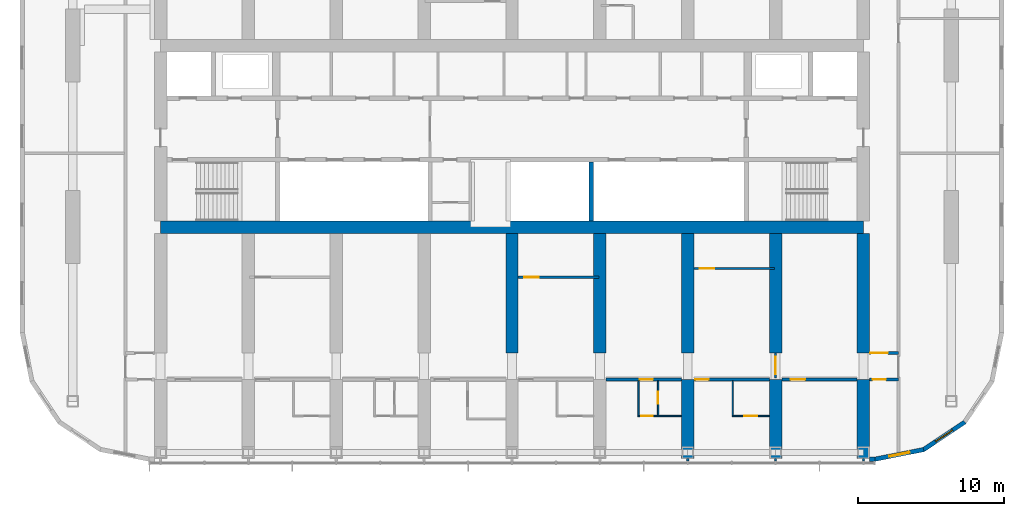
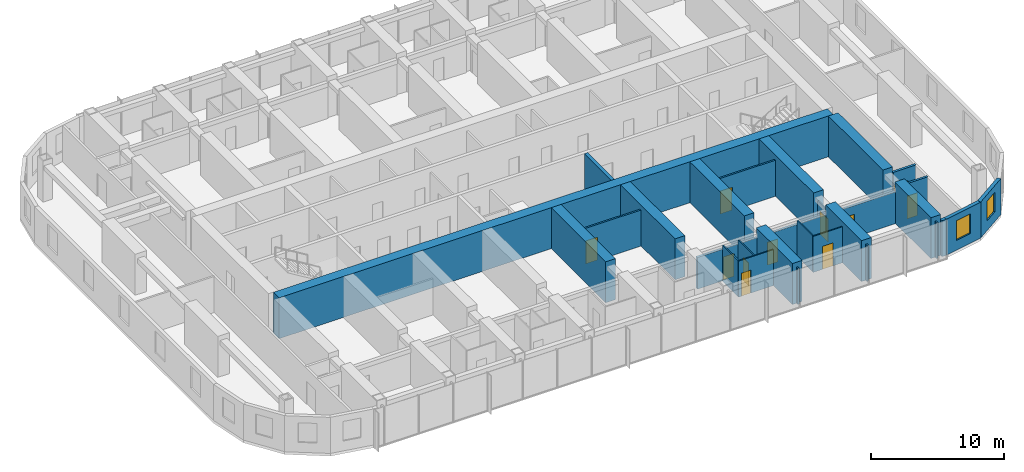
# One storey, part 12 of 22: 29 walls, 11 doors, 2 windows, 13 openings.
"""IFC4 building model written with IfcOpenShell, lengths in metres."""

from ifc_helpers import new_model, si_unit, direction, frame, frame_2d, origin, place, context, subcontext, project, spatial, polyline, rectangle, outline, extrude, material, layer, layer_set, type_object, element, fill, save


model = new_model("IFC4")

# Units and contexts
model_context = context("Model", 3, precision=1e-05, world=origin(), true_north=direction((0.0, 1.0)))
body_context = subcontext(model_context, "Body", "Model", "MODEL_VIEW")
ifc_project = project(units=[si_unit("LENGTHUNIT", "METRE"), si_unit("AREAUNIT", "SQUARE_METRE"), si_unit("VOLUMEUNIT", "CUBIC_METRE"), si_unit("PLANEANGLEUNIT", "RADIAN"), si_unit("MASSUNIT", "GRAM", prefix="KILO")], contexts=[model_context])

# Site, building, storey
site_placement = place(None, origin())
site = spatial("IfcSite", under=ifc_project, at=site_placement, CompositionType="ELEMENT")
building_placement = place(site_placement, origin())
building = spatial("IfcBuilding", under=site, at=building_placement, Name="Orbita Commons", CompositionType="ELEMENT")
storey_placement = place(building_placement, frame((0.0, 0.0, 144.85009765625)))
storey = spatial("IfcBuildingStorey", under=building, at=storey_placement, Name="L35", CompositionType="ELEMENT", Elevation=144.85009765625)

# Walls
ifc_material_1 = material(Name="Concrete C50/60", Category="concrete")
ifc_layer_1 = layer(ifc_material_1, 0.300048828125)
ifc_layer_set_1 = layer_set([ifc_layer_1], Name="Concrete C50/60")
wall_type_1 = type_object("IfcWallType", Name="Core inner wall 300 C50/60", PredefinedType="SHEAR", material=ifc_layer_set_1)
wall_1_placement = place(storey_placement, frame((47.39990234375, 26.22509765625, 0.0), z_axis=(0.0, 0.0, 1.0), x_axis=(0.0, 1.0, 0.0)))
element("IfcWall", 1, at=wall_1_placement, inside=storey, type_object=wall_type_1, Name="Hoistway division wall L35", PredefinedType="SHEAR", context=body_context, shape_type="SweptSolid", body=[
    extrude(rectangle(XDim=4.02490234375, YDim=0.300048828125, at=frame_2d((2.012451171875, 0.0))), origin(), (0.0, 0.0, 1.0), 3.75),
])
ifc_material_2 = material(Name="Concrete C50/60", Category="concrete")
ifc_layer_2 = layer(ifc_material_2, 0.85009765625)
ifc_layer_set_2 = layer_set([ifc_layer_2], Name="Concrete C50/60")
wall_type_2 = type_object("IfcWallType", Name="Core wall 850 C50/60", PredefinedType="SHEAR", material=ifc_layer_set_2)
wall_2_placement = place(storey_placement, frame((18.0, 25.800048828125, 0.0), z_axis=(0.0, 0.0, 1.0), x_axis=(1.0, 0.0, 0.0)))
element("IfcWall", 2, at=wall_2_placement, inside=storey, type_object=wall_type_2, Name="Core spine wall south L35", PredefinedType="SHEAR", context=body_context, shape_type="SweptSolid", body=[
    extrude(rectangle(XDim=48.0, YDim=0.85009765625, at=frame_2d((24.0, 0.0))), origin(), (0.0, 0.0, 1.0), 3.75),
])

# Wall, opening, door
ifc_material_3 = material(Name="Concrete blockwork", Category="masonry")
ifc_layer_3 = layer(ifc_material_3, 0.199951171875)
ifc_layer_set_3 = layer_set([ifc_layer_3], Name="Concrete blockwork")
wall_type_3 = type_object("IfcWallType", Name="Corridor wall 200 blockwork", PredefinedType="SOLIDWALL", material=ifc_layer_set_3)
wall_3_placement = place(storey_placement, frame((48.425048828125, 15.39990234375, 0.0), z_axis=(0.0, 0.0, 1.0), x_axis=(1.0, 0.0, 0.0)))
wall_3 = element("IfcWall", 3, at=wall_3_placement, inside=storey, type_object=wall_type_3, Name="Corridor wall 200 blockwork L35", PredefinedType="SOLIDWALL", context=body_context, shape_type="SweptSolid", body=[
    extrude(outline(polyline([(0.0, 0.0), (5.14990234375, 0.0), (5.14990234375, 2.89990234375), (0.0, 2.89990234375), (0.0, 0.0)])), frame((0.0, 0.10009765625, 0.0), z_axis=(0.0, -1.0, 0.0), x_axis=(1.0, 0.0, 0.0)), (0.0, 0.0, 1.0), 0.199951171875),
])
opening_1_placement = place(wall_3_placement, frame((2.300048828125, 0.0, 0.0)))
opening_1 = element("IfcOpeningElement", 4, at=opening_1_placement, cuts=wall_3, Name="Opening D11", PredefinedType="OPENING", context=body_context, shape_type="SweptSolid", body=[
    extrude(rectangle(XDim=0.89990234375, YDim=2.10009765625, at=frame_2d((0.449951171875, 1.050048828125))), frame((0.0, 0.10986328125, 0.0), z_axis=(0.0, -1.0, 0.0), x_axis=(1.0, 0.0, 0.0)), (0.0, 0.0, 1.0), 0.219970703125),
])
ifc_material_4 = material(Name="Steel-faced fire door leaf", Category="steel")
door_type_1 = type_object("IfcDoorType", Name="Corridor door 20 min 900x2100", OperationType="SINGLE_SWING_LEFT", PredefinedType="DOOR", material=ifc_material_4)
door_1_placement = place(opening_1_placement, origin())
door_1 = element("IfcDoor", 5, at=door_1_placement, inside=storey, type_object=door_type_1, Name="Studio flat L35-S10 entrance door", OperationType="SINGLE_SWING_LEFT", OverallHeight=2.10009765625, OverallWidth=0.89990234375, PredefinedType="DOOR", context=body_context, shape_type="SweptSolid", body=[
    extrude(rectangle(XDim=0.89990234375, YDim=2.10009765625, at=frame_2d((0.449951171875, 1.050048828125))), frame((0.0, 0.02490234375, 0.0), z_axis=(0.0, -1.0, 0.0), x_axis=(1.0, 0.0, 0.0)), (0.0, 0.0, 1.0), 0.050048828125),
])
fill(opening_1, door_1)

wall_4_placement = place(storey_placement, frame((54.425048828125, 15.39990234375, 0.0), z_axis=(0.0, 0.0, 1.0), x_axis=(1.0, 0.0, 0.0)))
wall_4 = element("IfcWall", 6, at=wall_4_placement, inside=storey, type_object=wall_type_3, Name="Corridor wall 200 blockwork L35", PredefinedType="SOLIDWALL", context=body_context, shape_type="SweptSolid", body=[
    extrude(outline(polyline([(0.0, 0.0), (5.14990234375, 0.0), (5.14990234375, 2.89990234375), (0.0, 2.89990234375), (0.0, 0.0)])), frame((0.0, 0.10009765625, 0.0), z_axis=(0.0, -1.0, 0.0), x_axis=(1.0, 0.0, 0.0)), (0.0, 0.0, 1.0), 0.199951171875),
])
opening_2_placement = place(wall_4_placement, frame((0.10009765625, 0.0, 0.0)))
opening_2 = element("IfcOpeningElement", 7, at=opening_2_placement, cuts=wall_4, Name="Opening D11", PredefinedType="OPENING", context=body_context, shape_type="SweptSolid", body=[
    extrude(rectangle(XDim=0.89990234375, YDim=2.10009765625, at=frame_2d((0.449951171875, 1.050048828125))), frame((0.0, 0.10986328125, 0.0), z_axis=(0.0, -1.0, 0.0), x_axis=(1.0, 0.0, 0.0)), (0.0, 0.0, 1.0), 0.219970703125),
])
door_2_placement = place(opening_2_placement, origin())
door_2 = element("IfcDoor", 8, at=door_2_placement, inside=storey, type_object=door_type_1, Name="Twin room L35-S12 door", OperationType="SINGLE_SWING_LEFT", OverallHeight=2.10009765625, OverallWidth=0.89990234375, PredefinedType="DOOR", context=body_context, shape_type="SweptSolid", body=[
    extrude(rectangle(XDim=0.89990234375, YDim=2.10009765625, at=frame_2d((0.449951171875, 1.050048828125))), frame((0.0, 0.02490234375, 0.0), z_axis=(0.0, -1.0, 0.0), x_axis=(1.0, 0.0, 0.0)), (0.0, 0.0, 1.0), 0.050048828125),
])
fill(opening_2, door_2)

wall_5_placement = place(storey_placement, frame((60.425048828125, 15.39990234375, 0.0), z_axis=(0.0, 0.0, 1.0), x_axis=(1.0, 0.0, 0.0)))
wall_5 = element("IfcWall", 9, at=wall_5_placement, inside=storey, type_object=wall_type_3, Name="Corridor wall 200 blockwork L35", PredefinedType="SOLIDWALL", context=body_context, shape_type="SweptSolid", body=[
    extrude(outline(polyline([(0.0, 0.0), (5.14990234375, 0.0), (5.14990234375, 2.89990234375), (0.0, 2.89990234375), (0.0, 0.0)])), frame((0.0, 0.10009765625, 0.0), z_axis=(0.0, -1.0, 0.0), x_axis=(1.0, 0.0, 0.0)), (0.0, 0.0, 1.0), 0.199951171875),
])
opening_3_placement = place(wall_5_placement, frame((0.60009765625, 0.0, 0.0)))
opening_3 = element("IfcOpeningElement", 10, at=opening_3_placement, cuts=wall_5, Name="Opening D06", PredefinedType="OPENING", context=body_context, shape_type="SweptSolid", body=[
    extrude(rectangle(XDim=1.0, YDim=2.10009765625, at=frame_2d((0.5, 1.050048828125))), frame((0.0, 0.10986328125, 0.0), z_axis=(0.0, -1.0, 0.0), x_axis=(1.0, 0.0, 0.0)), (0.0, 0.0, 1.0), 0.219970703125),
])
ifc_material_5 = material(Name="Steel-faced fire door leaf", Category="steel")
door_type_2 = type_object("IfcDoorType", Name="Corridor door 20 min 1000x2100", OperationType="SINGLE_SWING_LEFT", PredefinedType="DOOR", material=ifc_material_5)
door_3_placement = place(opening_3_placement, origin())
door_3 = element("IfcDoor", 11, at=door_3_placement, inside=storey, type_object=door_type_2, Name="Cluster kitchen-diner L35-S14 door", OperationType="SINGLE_SWING_LEFT", OverallHeight=2.10009765625, OverallWidth=1.0, PredefinedType="DOOR", context=body_context, shape_type="SweptSolid", body=[
    extrude(rectangle(XDim=1.0, YDim=2.10009765625, at=frame_2d((0.5, 1.050048828125))), frame((0.0, 0.02490234375, 0.0), z_axis=(0.0, -1.0, 0.0), x_axis=(1.0, 0.0, 0.0)), (0.0, 0.0, 1.0), 0.050048828125),
])
fill(opening_3, door_3)

wall_6_placement = place(storey_placement, frame((66.425048828125, 15.39990234375, 0.0), z_axis=(0.0, 0.0, 1.0), x_axis=(1.0, 0.0, 0.0)))
wall_6 = element("IfcWall", 12, at=wall_6_placement, inside=storey, type_object=wall_type_3, Name="Corridor wall 200 blockwork L35", PredefinedType="SOLIDWALL", context=body_context, shape_type="SweptSolid", body=[
    extrude(rectangle(XDim=1.974853515625, YDim=0.199951171875, at=frame_2d((0.9873046875, 0.0))), origin(), (0.0, 0.0, 1.0), 3.2998046875),
])
opening_4_placement = place(wall_6_placement, frame((0.199951171875, 0.0, 0.0)))
opening_4 = element("IfcOpeningElement", 13, at=opening_4_placement, cuts=wall_6, Name="Opening D05", PredefinedType="OPENING", context=body_context, shape_type="SweptSolid", body=[
    extrude(rectangle(XDim=0.89990234375, YDim=2.10009765625, at=frame_2d((0.449951171875, 1.050048828125))), frame((0.0, 0.10986328125, 0.0), z_axis=(0.0, -1.0, 0.0), x_axis=(1.0, 0.0, 0.0)), (0.0, 0.0, 1.0), 0.219970703125),
])
ifc_material_6 = material(Name="Steel-faced fire door leaf", Category="steel")
door_type_3 = type_object("IfcDoorType", Name="Service door 20 min 900x2100", OperationType="SINGLE_SWING_LEFT", PredefinedType="DOOR", material=ifc_material_6)
door_4_placement = place(opening_4_placement, origin())
door_4 = element("IfcDoor", 14, at=door_4_placement, inside=storey, type_object=door_type_3, Name="Linen store L35-KES door", OperationType="SINGLE_SWING_LEFT", OverallHeight=2.10009765625, OverallWidth=0.89990234375, PredefinedType="DOOR", context=body_context, shape_type="SweptSolid", body=[
    extrude(rectangle(XDim=0.89990234375, YDim=2.10009765625, at=frame_2d((0.449951171875, 1.050048828125))), frame((0.0, 0.02490234375, 0.0), z_axis=(0.0, -1.0, 0.0), x_axis=(1.0, 0.0, 0.0)), (0.0, 0.0, 1.0), 0.050048828125),
])
fill(opening_4, door_4)

ifc_material_7 = material(Name="Hollow concrete block 200", Category="concrete")
ifc_layer_4 = layer(ifc_material_7, 0.199951171875)
ifc_layer_set_4 = layer_set([ifc_layer_4], Name="Hollow concrete block 200")
wall_type_4 = type_object("IfcWallType", Name="Corridor wall 200 hollow concrete block", PredefinedType="SOLIDWALL", material=ifc_layer_set_4)
wall_7_placement = place(storey_placement, frame((66.425048828125, 17.199951171875, 0.0), z_axis=(0.0, 0.0, 1.0), x_axis=(1.0, 0.0, 0.0)))
wall_7 = element("IfcWall", 15, at=wall_7_placement, inside=storey, type_object=wall_type_4, Name="Corridor wall 200 hollow concrete block L35", PredefinedType="SOLIDWALL", context=body_context, shape_type="SweptSolid", body=[
    extrude(rectangle(XDim=1.974853515625, YDim=0.199951171875, at=frame_2d((0.9873046875, 0.0))), origin(), (0.0, 0.0, 1.0), 3.2998046875),
])
opening_5_placement = place(wall_7_placement, frame((0.050048828125, 0.0, 0.0)))
opening_5 = element("IfcOpeningElement", 16, at=opening_5_placement, cuts=wall_7, Name="Opening D12", PredefinedType="OPENING", context=body_context, shape_type="SweptSolid", body=[
    extrude(rectangle(XDim=1.199951171875, YDim=2.10009765625, at=frame_2d((0.60009765625, 1.050048828125))), frame((0.0, 0.10986328125, 0.0), z_axis=(0.0, -1.0, 0.0), x_axis=(1.0, 0.0, 0.0)), (0.0, 0.0, 1.0), 0.219970703125),
])
ifc_material_8 = material(Name="Steel-faced fire door leaf", Category="steel")
door_type_4 = type_object("IfcDoorType", Name="Double corridor door 20 min 1200x2100", OperationType="DOUBLE_DOOR_SINGLE_SWING", PredefinedType="DOOR", material=ifc_material_8)
door_5_placement = place(opening_5_placement, origin())
door_5 = element("IfcDoor", 17, at=door_5_placement, inside=storey, type_object=door_type_4, Name="Cross corridor doors", OperationType="DOUBLE_DOOR_SINGLE_SWING", OverallHeight=2.10009765625, OverallWidth=1.199951171875, PredefinedType="DOOR", context=body_context, shape_type="SweptSolid", body=[
    extrude(rectangle(XDim=1.199951171875, YDim=2.10009765625, at=frame_2d((0.60009765625, 1.050048828125))), frame((0.0, 0.02490234375, 0.0), z_axis=(0.0, -1.0, 0.0), x_axis=(1.0, 0.0, 0.0)), (0.0, 0.0, 1.0), 0.050048828125),
])
fill(opening_5, door_5)

# Walls
ifc_material_9 = material(Name="Concrete C50/60", Category="concrete")
ifc_layer_5 = layer(ifc_material_9, 0.85009765625)
ifc_layer_set_5 = layer_set([ifc_layer_5], Name="Concrete C50/60")
wall_type_5 = type_object("IfcWallType", Name="Cross wall 850 C50/60", PredefinedType="SHEAR", material=ifc_layer_set_5)
for number, where, z_axis, x_axis, name in (
    (18, (42.0, 17.199951171875, 0.0), (0.0, 0.0, 1.0), (0.0, 1.0, 0.0), "Cross wall 8 south inner L35"),
    (19, (48.0, 17.199951171875, 0.0), (0.0, 0.0, 1.0), (0.0, 1.0, 0.0), "Cross wall 9 south inner L35"),
):
    element("IfcWall", number, at=place(storey_placement, frame(where, z_axis=z_axis, x_axis=x_axis)), inside=storey, type_object=wall_type_5, Name=name, PredefinedType="SHEAR", context=body_context, shape_type="SweptSolid", body=[
        extrude(rectangle(XDim=8.175048828125, YDim=0.85009765625, at=frame_2d((4.08740234375, 0.0))), origin(), (0.0, 0.0, 1.0), 3.75),
    ])
wall_8_placement = place(storey_placement, frame((54.0, 10.0, 0.0), z_axis=(0.0, 0.0, 1.0), x_axis=(0.0, 1.0, 0.0)))
element("IfcWall", 20, at=wall_8_placement, inside=storey, type_object=wall_type_5, Name="Cross wall 10 south outer L35", PredefinedType="SHEAR", context=body_context, shape_type="SweptSolid", body=[
    extrude(rectangle(XDim=5.39990234375, YDim=0.85009765625, at=frame_2d((2.699951171875, 0.0))), origin(), (0.0, 0.0, 1.0), 3.75),
])
wall_9_placement = place(storey_placement, frame((54.0, 17.199951171875, 0.0), z_axis=(0.0, 0.0, 1.0), x_axis=(0.0, 1.0, 0.0)))
element("IfcWall", 21, at=wall_9_placement, inside=storey, type_object=wall_type_5, Name="Cross wall 10 south inner L35", PredefinedType="SHEAR", context=body_context, shape_type="SweptSolid", body=[
    extrude(rectangle(XDim=8.175048828125, YDim=0.85009765625, at=frame_2d((4.08740234375, 0.0))), origin(), (0.0, 0.0, 1.0), 3.75),
])
wall_10_placement = place(storey_placement, frame((60.0, 10.0, 0.0), z_axis=(0.0, 0.0, 1.0), x_axis=(0.0, 1.0, 0.0)))
element("IfcWall", 22, at=wall_10_placement, inside=storey, type_object=wall_type_5, Name="Cross wall 11 south outer L35", PredefinedType="SHEAR", context=body_context, shape_type="SweptSolid", body=[
    extrude(rectangle(XDim=5.39990234375, YDim=0.85009765625, at=frame_2d((2.699951171875, 0.0))), origin(), (0.0, 0.0, 1.0), 3.75),
])
wall_11_placement = place(storey_placement, frame((60.0, 17.199951171875, 0.0), z_axis=(0.0, 0.0, 1.0), x_axis=(0.0, 1.0, 0.0)))
element("IfcWall", 23, at=wall_11_placement, inside=storey, type_object=wall_type_5, Name="Cross wall 11 south inner L35", PredefinedType="SHEAR", context=body_context, shape_type="SweptSolid", body=[
    extrude(rectangle(XDim=8.175048828125, YDim=0.85009765625, at=frame_2d((4.08740234375, 0.0))), origin(), (0.0, 0.0, 1.0), 3.75),
])
wall_12_placement = place(storey_placement, frame((66.0, 10.0, 0.0), z_axis=(0.0, 0.0, 1.0), x_axis=(0.0, 1.0, 0.0)))
element("IfcWall", 24, at=wall_12_placement, inside=storey, type_object=wall_type_5, Name="Cross wall 12 south outer L35", PredefinedType="SHEAR", context=body_context, shape_type="SweptSolid", body=[
    extrude(rectangle(XDim=5.39990234375, YDim=0.85009765625, at=frame_2d((2.699951171875, 0.0))), origin(), (0.0, 0.0, 1.0), 3.75),
])
wall_13_placement = place(storey_placement, frame((66.0, 17.199951171875, 0.0), z_axis=(0.0, 0.0, 1.0), x_axis=(0.0, 1.0, 0.0)))
element("IfcWall", 25, at=wall_13_placement, inside=storey, type_object=wall_type_5, Name="Cross wall 12 south inner L35", PredefinedType="SHEAR", context=body_context, shape_type="SweptSolid", body=[
    extrude(rectangle(XDim=8.175048828125, YDim=0.85009765625, at=frame_2d((4.08740234375, 0.0))), origin(), (0.0, 0.0, 1.0), 3.75),
])

# Wall, opening, door
ifc_material_10 = material(Name="Moisture-resistant plasterboard on steel studs", Category="steel")
ifc_layer_6 = layer(ifc_material_10, 0.10009765625)
ifc_layer_set_6 = layer_set([ifc_layer_6], Name="Moisture-resistant plasterboard on steel studs")
wall_type_6 = type_object("IfcWallType", Name="En-suite partition 100", PredefinedType="PARTITIONING", material=ifc_layer_set_6)
wall_14_placement = place(storey_placement, frame((53.574951171875, 12.89990234375, 0.0), z_axis=(0.0, 0.0, 1.0), x_axis=(-1.0, 0.0, 0.0)))
wall_14 = element("IfcWall", 26, at=wall_14_placement, inside=storey, type_object=wall_type_6, Name="En-suite partition 100 L35", PredefinedType="PARTITIONING", context=body_context, shape_type="SweptSolid", body=[
    extrude(rectangle(XDim=3.0, YDim=0.10009765625, at=frame_2d((1.5, 0.0))), origin(), (0.0, 0.0, 1.0), 3.2998046875),
])
opening_6_placement = place(wall_14_placement, frame((1.949951171875, 0.0, 0.0)))
opening_6 = element("IfcOpeningElement", 27, at=opening_6_placement, cuts=wall_14, Name="Opening D16", PredefinedType="OPENING", context=body_context, shape_type="SweptSolid", body=[
    extrude(rectangle(XDim=0.800048828125, YDim=2.10009765625, at=frame_2d((0.39990234375, 1.050048828125))), frame((0.0, 0.06005859375, 0.0), z_axis=(0.0, -1.0, 0.0), x_axis=(1.0, 0.0, 0.0)), (0.0, 0.0, 1.0), 0.1201171875),
])
ifc_material_11 = material(Name="Laminated timber door leaf", Category="wood")
door_type_5 = type_object("IfcDoorType", Name="En-suite door 800x2100", OperationType="SINGLE_SWING_RIGHT", PredefinedType="DOOR", material=ifc_material_11)
door_6_placement = place(opening_6_placement, origin())
door_6 = element("IfcDoor", 28, at=door_6_placement, inside=storey, type_object=door_type_5, Name="Studio flat L35-S10 door", OperationType="SINGLE_SWING_RIGHT", OverallHeight=2.10009765625, OverallWidth=0.800048828125, PredefinedType="DOOR", context=body_context, shape_type="SweptSolid", body=[
    extrude(rectangle(XDim=0.800048828125, YDim=2.10009765625, at=frame_2d((0.39990234375, 1.050048828125))), frame((0.0, 0.02490234375, 0.0), z_axis=(0.0, -1.0, 0.0), x_axis=(1.0, 0.0, 0.0)), (0.0, 0.0, 1.0), 0.050048828125),
])
fill(opening_6, door_6)

# Wall
wall_15_placement = place(storey_placement, frame((50.625, 12.949951171875, 0.0), z_axis=(0.0, 0.0, 1.0), x_axis=(0.0, 1.0, 0.0)))
element("IfcWall", 29, at=wall_15_placement, inside=storey, type_object=wall_type_6, Name="En-suite partition 100 L35", PredefinedType="PARTITIONING", context=body_context, shape_type="SweptSolid", body=[
    extrude(outline(polyline([(0.0, 0.0), (2.35009765625, 0.0), (2.35009765625, 2.89990234375), (2.302001953125, 2.89990234375), (2.300048828125, 3.2998046875), (0.0, 3.2998046875), (0.0, 0.0)])), frame((0.0, 0.050048828125, 0.0), z_axis=(0.0, -1.0, 0.0), x_axis=(1.0, 0.0, 0.0)), (0.0, 0.0, 1.0), 0.10009765625),
])

# Wall, opening, door
wall_16_placement = place(storey_placement, frame((51.97509765625, 12.949951171875, 0.0), z_axis=(0.0, 0.0, 1.0), x_axis=(0.0, 1.0, 0.0)))
wall_16 = element("IfcWall", 30, at=wall_16_placement, inside=storey, type_object=wall_type_6, Name="En-suite partition 100 L35", PredefinedType="PARTITIONING", context=body_context, shape_type="SweptSolid", body=[
    extrude(outline(polyline([(0.0, 0.0), (2.35009765625, 0.0), (2.35009765625, 2.89990234375), (2.302001953125, 2.89990234375), (2.300048828125, 3.2998046875), (0.0, 3.2998046875), (0.0, 0.0)])), frame((0.0, 0.050048828125, 0.0), z_axis=(0.0, -1.0, 0.0), x_axis=(1.0, 0.0, 0.0)), (0.0, 0.0, 1.0), 0.10009765625),
])
opening_7_placement = place(wall_16_placement, frame((0.800048828125, 0.0, 0.0)))
opening_7 = element("IfcOpeningElement", 31, at=opening_7_placement, cuts=wall_16, Name="Opening D16", PredefinedType="OPENING", context=body_context, shape_type="SweptSolid", body=[
    extrude(rectangle(XDim=0.800048828125, YDim=2.10009765625, at=frame_2d((0.39990234375, 1.050048828125))), frame((0.0, 0.06005859375, 0.0), z_axis=(0.0, -1.0, 0.0), x_axis=(1.0, 0.0, 0.0)), (0.0, 0.0, 1.0), 0.1201171875),
])
door_7_placement = place(opening_7_placement, origin())
door_7 = element("IfcDoor", 32, at=door_7_placement, inside=storey, type_object=door_type_5, Name="Studio flat shower room L35-S10 door", OperationType="SINGLE_SWING_RIGHT", OverallHeight=2.10009765625, OverallWidth=0.800048828125, PredefinedType="DOOR", context=body_context, shape_type="SweptSolid", body=[
    extrude(rectangle(XDim=0.800048828125, YDim=2.10009765625, at=frame_2d((0.39990234375, 1.050048828125))), frame((0.0, 0.02490234375, 0.0), z_axis=(0.0, -1.0, 0.0), x_axis=(1.0, 0.0, 0.0)), (0.0, 0.0, 1.0), 0.050048828125),
])
fill(opening_7, door_7)

wall_17_placement = place(storey_placement, frame((59.574951171875, 12.89990234375, 0.0), z_axis=(0.0, 0.0, 1.0), x_axis=(-1.0, 0.0, 0.0)))
wall_17 = element("IfcWall", 33, at=wall_17_placement, inside=storey, type_object=wall_type_6, Name="En-suite partition 100 L35", PredefinedType="PARTITIONING", context=body_context, shape_type="SweptSolid", body=[
    extrude(rectangle(XDim=2.550048828125, YDim=0.10009765625, at=frame_2d((1.27490234375, 0.0))), origin(), (0.0, 0.0, 1.0), 3.2998046875),
])
opening_8_placement = place(wall_17_placement, frame((0.824951171875, 0.0, 0.0)))
opening_8 = element("IfcOpeningElement", 34, at=opening_8_placement, cuts=wall_17, Name="Opening D09", PredefinedType="OPENING", context=body_context, shape_type="SweptSolid", body=[
    extrude(rectangle(XDim=0.89990234375, YDim=2.10009765625, at=frame_2d((0.449951171875, 1.050048828125))), frame((0.0, 0.06005859375, 0.0), z_axis=(0.0, -1.0, 0.0), x_axis=(1.0, 0.0, 0.0)), (0.0, 0.0, 1.0), 0.1201171875),
])
ifc_material_12 = material(Name="Laminated timber door leaf", Category="wood")
door_type_6 = type_object("IfcDoorType", Name="En-suite door 900x2100", OperationType="SINGLE_SWING_RIGHT", PredefinedType="DOOR", material=ifc_material_12)
door_8_placement = place(opening_8_placement, origin())
door_8 = element("IfcDoor", 35, at=door_8_placement, inside=storey, type_object=door_type_6, Name="En-suite L35-S12 door", OperationType="SINGLE_SWING_RIGHT", OverallHeight=2.10009765625, OverallWidth=0.89990234375, PredefinedType="DOOR", context=body_context, shape_type="SweptSolid", body=[
    extrude(rectangle(XDim=0.89990234375, YDim=2.10009765625, at=frame_2d((0.449951171875, 1.050048828125))), frame((0.0, 0.02490234375, 0.0), z_axis=(0.0, -1.0, 0.0), x_axis=(1.0, 0.0, 0.0)), (0.0, 0.0, 1.0), 0.050048828125),
])
fill(opening_8, door_8)

# Wall
wall_18_placement = place(storey_placement, frame((57.074951171875, 12.949951171875, 0.0), z_axis=(0.0, 0.0, 1.0), x_axis=(0.0, 1.0, 0.0)))
element("IfcWall", 36, at=wall_18_placement, inside=storey, type_object=wall_type_6, Name="En-suite partition 100 L35", PredefinedType="PARTITIONING", context=body_context, shape_type="SweptSolid", body=[
    extrude(outline(polyline([(0.0, 0.0), (2.35009765625, 0.0), (2.35009765625, 2.89990234375), (2.302001953125, 2.89990234375), (2.300048828125, 3.2998046875), (0.0, 3.2998046875), (0.0, 0.0)])), frame((0.0, 0.050048828125, 0.0), z_axis=(0.0, -1.0, 0.0), x_axis=(1.0, 0.0, 0.0)), (0.0, 0.0, 1.0), 0.10009765625),
])

# Wall, opening, door
ifc_material_13 = material(Name="Gypsum plasterboard on steel studs", Category="steel")
ifc_layer_7 = layer(ifc_material_13, 0.14990234375)
ifc_layer_set_7 = layer_set([ifc_layer_7], Name="Gypsum plasterboard on steel studs")
wall_type_7 = type_object("IfcWallType", Name="Partition 150 plasterboard", PredefinedType="PARTITIONING", material=ifc_layer_set_7)
wall_19_placement = place(storey_placement, frame((42.425048828125, 22.375, 0.0), z_axis=(0.0, 0.0, 1.0), x_axis=(1.0, 0.0, 0.0)))
wall_19 = element("IfcWall", 37, at=wall_19_placement, inside=storey, type_object=wall_type_7, Name="Partition 150 plasterboard L35", PredefinedType="PARTITIONING", context=body_context, shape_type="SweptSolid", body=[
    extrude(rectangle(XDim=5.5, YDim=0.14990234375, at=frame_2d((2.75, 0.0))), origin(), (0.0, 0.0, 1.0), 3.2998046875),
])
opening_9_placement = place(wall_19_placement, frame((0.39990234375, 0.0, 0.0)))
opening_9 = element("IfcOpeningElement", 38, at=opening_9_placement, cuts=wall_19, Name="Opening D18", PredefinedType="OPENING", context=body_context, shape_type="SweptSolid", body=[
    extrude(rectangle(XDim=1.0, YDim=2.10009765625, at=frame_2d((0.5, 1.050048828125))), frame((0.0, 0.0849609375, 0.0), z_axis=(0.0, -1.0, 0.0), x_axis=(1.0, 0.0, 0.0)), (0.0, 0.0, 1.0), 0.169921875),
])
ifc_material_14 = material(Name="Steel-faced fire door leaf", Category="steel")
door_type_7 = type_object("IfcDoorType", Name="Service door 20 min 1000x2100", OperationType="SINGLE_SWING_LEFT", PredefinedType="DOOR", material=ifc_material_14)
door_9_placement = place(opening_9_placement, origin())
door_9 = element("IfcDoor", 39, at=door_9_placement, inside=storey, type_object=door_type_7, Name="Refuse and recycling room L35-BDS42 door", OperationType="SINGLE_SWING_LEFT", OverallHeight=2.10009765625, OverallWidth=1.0, PredefinedType="DOOR", context=body_context, shape_type="SweptSolid", body=[
    extrude(rectangle(XDim=1.0, YDim=2.10009765625, at=frame_2d((0.5, 1.050048828125))), frame((0.0, 0.02490234375, 0.0), z_axis=(0.0, -1.0, 0.0), x_axis=(1.0, 0.0, 0.0)), (0.0, 0.0, 1.0), 0.050048828125),
])
fill(opening_9, door_9)

wall_20_placement = place(storey_placement, frame((54.425048828125, 22.97509765625, 0.0), z_axis=(0.0, 0.0, 1.0), x_axis=(1.0, 0.0, 0.0)))
wall_20 = element("IfcWall", 40, at=wall_20_placement, inside=storey, type_object=wall_type_7, Name="Partition 150 plasterboard L35", PredefinedType="PARTITIONING", context=body_context, shape_type="SweptSolid", body=[
    extrude(rectangle(XDim=5.5, YDim=0.14990234375, at=frame_2d((2.75, 0.0))), origin(), (0.0, 0.0, 1.0), 3.2998046875),
])
opening_10_placement = place(wall_20_placement, frame((0.39990234375, 0.0, 0.0)))
opening_10 = element("IfcOpeningElement", 41, at=opening_10_placement, cuts=wall_20, Name="Opening D18", PredefinedType="OPENING", context=body_context, shape_type="SweptSolid", body=[
    extrude(rectangle(XDim=1.0, YDim=2.10009765625, at=frame_2d((0.5, 1.050048828125))), frame((0.0, 0.0849609375, 0.0), z_axis=(0.0, -1.0, 0.0), x_axis=(1.0, 0.0, 0.0)), (0.0, 0.0, 1.0), 0.169921875),
])
door_10_placement = place(opening_10_placement, origin())
door_10 = element("IfcDoor", 42, at=door_10_placement, inside=storey, type_object=door_type_7, Name="Cleaners store L35-BDS54 door", OperationType="SINGLE_SWING_LEFT", OverallHeight=2.10009765625, OverallWidth=1.0, PredefinedType="DOOR", context=body_context, shape_type="SweptSolid", body=[
    extrude(rectangle(XDim=1.0, YDim=2.10009765625, at=frame_2d((0.5, 1.050048828125))), frame((0.0, 0.02490234375, 0.0), z_axis=(0.0, -1.0, 0.0), x_axis=(1.0, 0.0, 0.0)), (0.0, 0.0, 1.0), 0.050048828125),
])
fill(opening_10, door_10)

wall_21_placement = place(storey_placement, frame((60.0, 15.5, 0.0), z_axis=(0.0, 0.0, 1.0), x_axis=(0.0, 1.0, 0.0)))
wall_21 = element("IfcWall", 43, at=wall_21_placement, inside=storey, type_object=wall_type_7, Name="Partition 150 plasterboard L35", PredefinedType="PARTITIONING", context=body_context, shape_type="SweptSolid", body=[
    extrude(outline(polyline([(0.0, 0.0), (1.699951171875, 0.0), (1.699951171875, 2.89990234375), (0.0, 2.89990234375), (0.0, 0.0)])), frame((0.0, 0.074951171875, 0.0), z_axis=(0.0, -1.0, 0.0), x_axis=(1.0, 0.0, 0.0)), (0.0, 0.0, 1.0), 0.14990234375),
])
opening_11_placement = place(wall_21_placement, frame((0.25, 0.0, 0.0)))
opening_11 = element("IfcOpeningElement", 44, at=opening_11_placement, cuts=wall_21, Name="Opening D12", PredefinedType="OPENING", context=body_context, shape_type="SweptSolid", body=[
    extrude(rectangle(XDim=1.199951171875, YDim=2.10009765625, at=frame_2d((0.60009765625, 1.050048828125))), frame((0.0, 0.0849609375, 0.0), z_axis=(0.0, -1.0, 0.0), x_axis=(1.0, 0.0, 0.0)), (0.0, 0.0, 1.0), 0.169921875),
])
door_11_placement = place(opening_11_placement, origin())
door_11 = element("IfcDoor", 45, at=door_11_placement, inside=storey, type_object=door_type_4, Name="Social spine south screen doors", OperationType="DOUBLE_DOOR_SINGLE_SWING", OverallHeight=2.10009765625, OverallWidth=1.199951171875, PredefinedType="DOOR", context=body_context, shape_type="SweptSolid", body=[
    extrude(rectangle(XDim=1.199951171875, YDim=2.10009765625, at=frame_2d((0.60009765625, 1.050048828125))), frame((0.0, 0.02490234375, 0.0), z_axis=(0.0, -1.0, 0.0), x_axis=(1.0, 0.0, 0.0)), (0.0, 0.0, 1.0), 0.050048828125),
])
fill(opening_11, door_11)

# Walls
for number, where, z_axis, x_axis, name in (
    (46, (54.0, 10.0, 0.0), (0.0, 0.0, 1.0), (0.0, -1.0, 0.0), "Partition 150 plasterboard L35"),
    (47, (60.0, 10.0, 0.0), (0.0, 0.0, 1.0), (0.0, -1.0, 0.0), "Partition 150 plasterboard L35"),
    (48, (66.0, 10.0, 0.0), (0.0, 0.0, 1.0), (0.0, -1.0, 0.0), "Partition 150 plasterboard L35"),
):
    element("IfcWall", number, at=place(storey_placement, frame(where, z_axis=z_axis, x_axis=x_axis)), inside=storey, type_object=wall_type_7, Name=name, PredefinedType="PARTITIONING", context=body_context, shape_type="SweptSolid", body=[
        extrude(rectangle(XDim=0.18994140625, YDim=0.14990234375, at=frame_2d((0.094970703125, 0.0))), origin(), (0.0, 0.0, 1.0), 3.2998046875),
    ])

# Wall, opening, window
ifc_material_15 = material(Name="Precast concrete C40/50, white board-marked finish", Category="concrete")
ifc_layer_8 = layer(ifc_material_15, 0.300048828125)
ifc_layer_set_8 = layer_set([ifc_layer_8], Name="Precast concrete C40/50, white board-marked finish")
wall_type_8 = type_object("IfcWallType", Name="Precast concrete end shield 300", PredefinedType="SOLIDWALL", material=ifc_layer_set_8)
wall_22_placement = place(storey_placement, frame((66.800048828125, 9.949951171875, 0.0), z_axis=(0.0, 0.0, 1.0), x_axis=(0.98078325777, 0.195100490205, 0.0)))
wall_22 = element("IfcWall", 49, at=wall_22_placement, inside=storey, type_object=wall_type_8, Name="End shield SE chord 1 L35", PredefinedType="SOLIDWALL", context=body_context, shape_type="SweptSolid", body=[
    extrude(outline(polyline([(-0.02978515625, -0.14990234375), (3.40478515625, -0.14990234375), (3.34521484375, 0.14990234375), (0.02978515625, 0.14990234375), (-0.02978515625, -0.14990234375)])), origin(), (0.0, 0.0, 1.0), 3.2998046875),
])
opening_12_placement = place(wall_22_placement, frame((0.987548828125, 0.0, 0.89990234375)))
opening_12 = element("IfcOpeningElement", 50, at=opening_12_placement, cuts=wall_22, Name="Opening W02", PredefinedType="OPENING", context=body_context, shape_type="SweptSolid", body=[
    extrude(rectangle(XDim=1.39990234375, YDim=1.800048828125, at=frame_2d((0.699951171875, 0.89990234375))), frame((0.0, 0.159912109375, 0.0), z_axis=(0.0, -1.0, 0.0), x_axis=(1.0, 0.0, 0.0)), (0.0, 0.0, 1.0), 0.320068359375),
])
ifc_material_16 = material(Name="Aluminium frame, clear double glazing", Category="aluminium")
window_type = type_object("IfcWindowType", Name="Deep-set window 1400x1800", PartitioningType="SINGLE_PANEL", PredefinedType="WINDOW", material=ifc_material_16)
window_1_placement = place(opening_12_placement, origin())
window_1 = element("IfcWindow", 51, at=window_1_placement, inside=storey, type_object=window_type, Name="Window L35-SE0", OverallHeight=1.800048828125, OverallWidth=1.39990234375, PartitioningType="SINGLE_PANEL", PredefinedType="WINDOW", context=body_context, shape_type="SweptSolid", body=[
    extrude(rectangle(XDim=1.39990234375, YDim=1.800048828125, at=frame_2d((0.699951171875, 0.89990234375))), frame((0.0, 0.030029296875, 0.0), z_axis=(0.0, -1.0, 0.0), x_axis=(1.0, 0.0, 0.0)), (0.0, 0.0, 1.0), 0.06005859375),
])
fill(opening_12, window_1)

wall_23_placement = place(storey_placement, frame((70.110107421875, 10.6083984375, 0.0), z_axis=(0.0, 0.0, 1.0), x_axis=(0.831493450887, 0.555534554399, 0.0)))
wall_23 = element("IfcWall", 52, at=wall_23_placement, inside=storey, type_object=wall_type_8, Name="End shield SE chord 2 L35", PredefinedType="SOLIDWALL", context=body_context, shape_type="SweptSolid", body=[
    extrude(outline(polyline([(-0.02978515625, -0.14990234375), (3.405029296875, -0.14990234375), (3.345458984375, 0.14990234375), (0.02978515625, 0.14990234375), (-0.02978515625, -0.14990234375)])), origin(), (0.0, 0.0, 1.0), 3.2998046875),
])
opening_13_placement = place(wall_23_placement, frame((0.987548828125, 0.0, 0.89990234375)))
opening_13 = element("IfcOpeningElement", 53, at=opening_13_placement, cuts=wall_23, Name="Opening W02", PredefinedType="OPENING", context=body_context, shape_type="SweptSolid", body=[
    extrude(rectangle(XDim=1.39990234375, YDim=1.800048828125, at=frame_2d((0.699951171875, 0.89990234375))), frame((0.0, 0.159912109375, 0.0), z_axis=(0.0, -1.0, 0.0), x_axis=(1.0, 0.0, 0.0)), (0.0, 0.0, 1.0), 0.320068359375),
])
window_2_placement = place(opening_13_placement, origin())
window_2 = element("IfcWindow", 54, at=window_2_placement, inside=storey, type_object=window_type, Name="Window L35-SE1", OverallHeight=1.800048828125, OverallWidth=1.39990234375, PartitioningType="SINGLE_PANEL", PredefinedType="WINDOW", context=body_context, shape_type="SweptSolid", body=[
    extrude(rectangle(XDim=1.39990234375, YDim=1.800048828125, at=frame_2d((0.699951171875, 0.89990234375))), frame((0.0, 0.030029296875, 0.0), z_axis=(0.0, -1.0, 0.0), x_axis=(1.0, 0.0, 0.0)), (0.0, 0.0, 1.0), 0.06005859375),
])
fill(opening_13, window_2)

# Wall
wall_24_placement = place(storey_placement, frame((66.800048828125, 9.949951171875, 0.0), z_axis=(0.0, 0.0, 1.0), x_axis=(-1.0, 0.0, 0.0)))
element("IfcWall", 55, at=wall_24_placement, inside=storey, type_object=wall_type_8, Name="End shield SE closer L35", PredefinedType="SOLIDWALL", context=body_context, shape_type="SweptSolid", body=[
    extrude(rectangle(XDim=0.375, YDim=0.300048828125, at=frame_2d((0.1875, 0.0))), origin(), (0.0, 0.0, 1.0), 3.2998046875),
])

save(model, "model.ifc")
